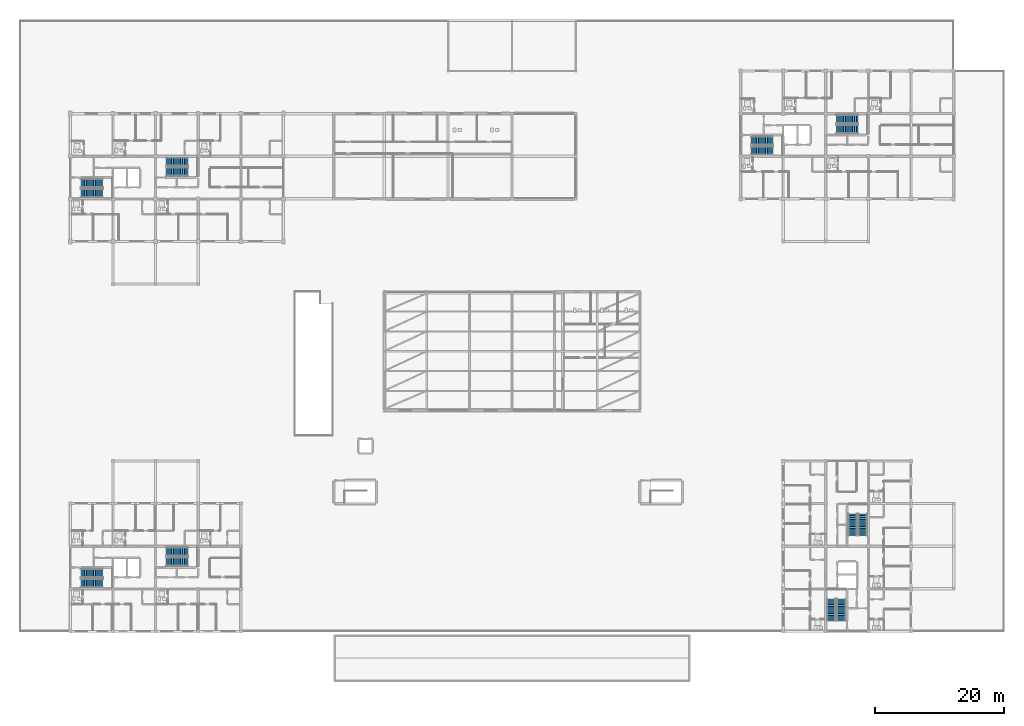
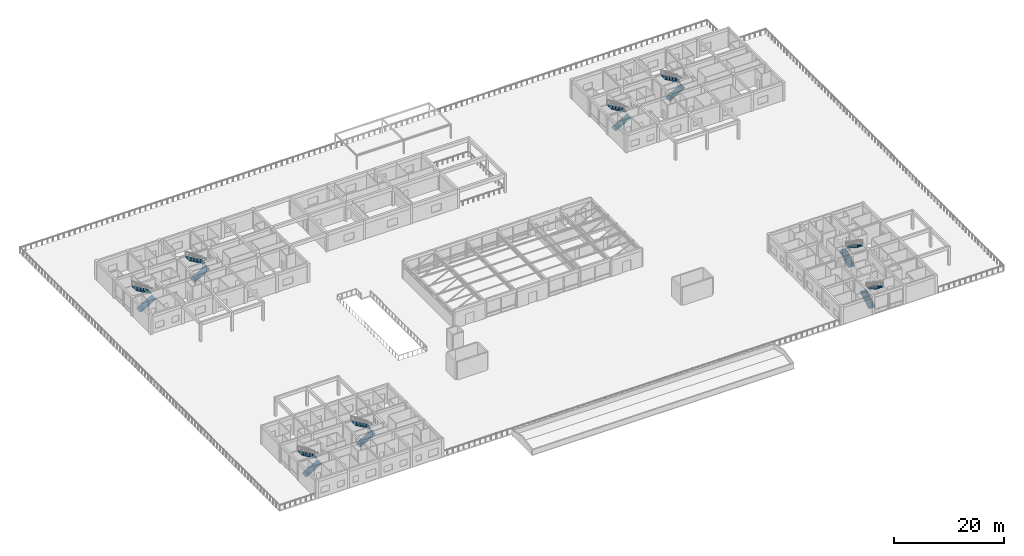
# One storey, part 80 of 92: 16 stair flights, 8 elements without a shape of their own.
"""IFC4 building model written with IfcOpenShell, lengths in metres."""

from ifc_helpers import new_model, si_unit, direction, frame, origin, place, context, subcontext, project, spatial, polyline, outline, extrude, material, type_object, element, aggregate, save


model = new_model("IFC4")

# Units and contexts
model_context = context("Model", 3, precision=1e-05, world=origin(), true_north=direction((0.0, 1.0)))
body_context = subcontext(model_context, "Body", "Model", "MODEL_VIEW")
ifc_project = project(units=[si_unit("LENGTHUNIT", "METRE"), si_unit("AREAUNIT", "SQUARE_METRE"), si_unit("VOLUMEUNIT", "CUBIC_METRE"), si_unit("PLANEANGLEUNIT", "RADIAN"), si_unit("MASSUNIT", "GRAM", prefix="KILO")], contexts=[model_context])

# Site, building, storey
site_placement = place(None, origin())
site = spatial("IfcSite", under=ifc_project, at=site_placement, CompositionType="ELEMENT")
building_placement = place(site_placement, origin())
building = spatial("IfcBuilding", under=site, at=building_placement, Name="Kernevlak Ridge Housing Community", CompositionType="ELEMENT")
storey_placement = place(building_placement, frame((0.0, 0.0, 4.199951171875)))
storey = spatial("IfcBuildingStorey", under=building, at=storey_placement, Name="L01", CompositionType="ELEMENT", Elevation=4.199951171875)

# Stair, stair flights
ifc_material = material(Name="Concrete C35/45", Category="concrete")
stair_type = type_object("IfcStairType", Name="SR-02", PredefinedType="HALF_TURN_STAIR", material=ifc_material)
stair_1_placement = place(storey_placement, origin())
stair_1 = element("IfcStair", 1, at=stair_1_placement, inside=storey, type_object=stair_type, Name="Stair ST-A1 L01", PredefinedType="HALF_TURN_STAIR")
stair_flight_type = type_object("IfcStairFlightType", Name="SF-02", PredefinedType="STRAIGHT", material=ifc_material)
stair_flight_1_placement = place(storey_placement, frame((17.239990234375, 83.4599609375, 0.0), z_axis=(0.0, 0.0, 1.0), x_axis=(1.0, 0.0, 0.0)))
stair_flight_1 = element("IfcStairFlight", 2, at=stair_flight_1_placement, type_object=stair_flight_type, Name="SR-02 flight 1", NumberOfRisers=13, NumberOfTreads=12, PredefinedType="STRAIGHT", RiserHeight=0.161538462, TreadLength=0.28, context=body_context, shape_type="SweptSolid", body=[
    extrude(outline(polyline([(0.0, 0.0), (0.0, 0.16162109375), (0.280029296875, 0.16162109375), (0.280029296875, 0.322998046875), (0.56005859375, 0.322998046875), (0.56005859375, 0.484619140625), (0.840087890625, 0.484619140625), (0.840087890625, 0.646240234375), (1.1201171875, 0.646240234375), (1.1201171875, 0.8076171875), (1.39990234375, 0.8076171875), (1.39990234375, 0.96923828125), (1.679931640625, 0.96923828125), (1.679931640625, 1.130859375), (1.9599609375, 1.130859375), (1.9599609375, 1.292236328125), (2.239990234375, 1.292236328125), (2.239990234375, 1.453857421875), (2.52001953125, 1.453857421875), (2.52001953125, 1.615478515625), (2.800048828125, 1.615478515625), (2.800048828125, 1.77685546875), (3.080078125, 1.77685546875), (3.080078125, 1.9384765625), (3.360107421875, 1.9384765625), (3.360107421875, 2.10009765625), (3.360107421875, 1.7421875), (0.340087890625, 0.0), (0.0, 0.0)])), frame((0.0, 0.699951171875, 0.0), z_axis=(0.0, -1.0, 0.0), x_axis=(1.0, 0.0, 0.0)), (0.0, 0.0, 1.0), 1.39990234375),
])
stair_flight_2_placement = place(storey_placement, frame((20.60009765625, 85.0400390625, 2.10009765625), z_axis=(0.0, 0.0, 1.0), x_axis=(-1.0, 0.0, 0.0)))
stair_flight_2 = element("IfcStairFlight", 3, at=stair_flight_2_placement, type_object=stair_flight_type, Name="SR-02 flight 2", NumberOfRisers=13, NumberOfTreads=12, PredefinedType="STRAIGHT", RiserHeight=0.161538462, TreadLength=0.28, context=body_context, shape_type="SweptSolid", body=[
    extrude(outline(polyline([(0.0, 0.0), (0.0, 0.16162109375), (0.280029296875, 0.16162109375), (0.280029296875, 0.322998046875), (0.56005859375, 0.322998046875), (0.56005859375, 0.484619140625), (0.840087890625, 0.484619140625), (0.840087890625, 0.646240234375), (1.1201171875, 0.646240234375), (1.1201171875, 0.8076171875), (1.39990234375, 0.8076171875), (1.39990234375, 0.96923828125), (1.679931640625, 0.96923828125), (1.679931640625, 1.130859375), (1.9599609375, 1.130859375), (1.9599609375, 1.292236328125), (2.239990234375, 1.292236328125), (2.239990234375, 1.453857421875), (2.52001953125, 1.453857421875), (2.52001953125, 1.615478515625), (2.800048828125, 1.615478515625), (2.800048828125, 1.77685546875), (3.080078125, 1.77685546875), (3.080078125, 1.9384765625), (3.360107421875, 1.9384765625), (3.360107421875, 2.10009765625), (3.360107421875, 1.7421875), (0.340087890625, 0.0), (0.0, 0.0)])), frame((0.0, 0.699951171875, 0.0), z_axis=(0.0, -1.0, 0.0), x_axis=(1.0, 0.0, 0.0)), (0.0, 0.0, 1.0), 1.39990234375),
])
aggregate(stair_1, [stair_flight_1, stair_flight_2])

stair_2_placement = place(storey_placement, origin())
stair_2 = element("IfcStair", 4, at=stair_2_placement, inside=storey, type_object=stair_type, Name="Stair ST-A2 L01", PredefinedType="HALF_TURN_STAIR")
stair_flight_3_placement = place(storey_placement, frame((30.43994140625, 86.760009765625, 0.0), z_axis=(0.0, 0.0, 1.0), x_axis=(1.0, 0.0, 0.0)))
stair_flight_3 = element("IfcStairFlight", 5, at=stair_flight_3_placement, type_object=stair_flight_type, Name="SR-02 flight 1", NumberOfRisers=13, NumberOfTreads=12, PredefinedType="STRAIGHT", RiserHeight=0.161538462, TreadLength=0.28, context=body_context, shape_type="SweptSolid", body=[
    extrude(outline(polyline([(0.0, 0.0), (0.0, 0.16162109375), (0.280029296875, 0.16162109375), (0.280029296875, 0.322998046875), (0.56005859375, 0.322998046875), (0.56005859375, 0.484619140625), (0.840087890625, 0.484619140625), (0.840087890625, 0.646240234375), (1.1201171875, 0.646240234375), (1.1201171875, 0.8076171875), (1.39990234375, 0.8076171875), (1.39990234375, 0.96923828125), (1.679931640625, 0.96923828125), (1.679931640625, 1.130859375), (1.9599609375, 1.130859375), (1.9599609375, 1.292236328125), (2.239990234375, 1.292236328125), (2.239990234375, 1.453857421875), (2.52001953125, 1.453857421875), (2.52001953125, 1.615478515625), (2.800048828125, 1.615478515625), (2.800048828125, 1.77685546875), (3.080078125, 1.77685546875), (3.080078125, 1.9384765625), (3.360107421875, 1.9384765625), (3.360107421875, 2.10009765625), (3.360107421875, 1.7421875), (0.340087890625, 0.0), (0.0, 0.0)])), frame((0.0, 0.699951171875, 0.0), z_axis=(0.0, -1.0, 0.0), x_axis=(1.0, 0.0, 0.0)), (0.0, 0.0, 1.0), 1.39990234375),
])
stair_flight_4_placement = place(storey_placement, frame((33.800048828125, 88.340087890625, 2.10009765625), z_axis=(0.0, 0.0, 1.0), x_axis=(-1.0, 0.0, 0.0)))
stair_flight_4 = element("IfcStairFlight", 6, at=stair_flight_4_placement, type_object=stair_flight_type, Name="SR-02 flight 2", NumberOfRisers=13, NumberOfTreads=12, PredefinedType="STRAIGHT", RiserHeight=0.161538462, TreadLength=0.28, context=body_context, shape_type="SweptSolid", body=[
    extrude(outline(polyline([(0.0, 0.0), (0.0, 0.16162109375), (0.280029296875, 0.16162109375), (0.280029296875, 0.322998046875), (0.56005859375, 0.322998046875), (0.56005859375, 0.484619140625), (0.840087890625, 0.484619140625), (0.840087890625, 0.646240234375), (1.1201171875, 0.646240234375), (1.1201171875, 0.8076171875), (1.39990234375, 0.8076171875), (1.39990234375, 0.96923828125), (1.679931640625, 0.96923828125), (1.679931640625, 1.130859375), (1.9599609375, 1.130859375), (1.9599609375, 1.292236328125), (2.239990234375, 1.292236328125), (2.239990234375, 1.453857421875), (2.52001953125, 1.453857421875), (2.52001953125, 1.615478515625), (2.800048828125, 1.615478515625), (2.800048828125, 1.77685546875), (3.080078125, 1.77685546875), (3.080078125, 1.9384765625), (3.360107421875, 1.9384765625), (3.360107421875, 2.10009765625), (3.360107421875, 1.7421875), (0.340087890625, 0.0), (0.0, 0.0)])), frame((0.0, 0.699951171875, 0.0), z_axis=(0.0, -1.0, 0.0), x_axis=(1.0, 0.0, 0.0)), (0.0, 0.0, 1.0), 1.39990234375),
])
aggregate(stair_2, [stair_flight_3, stair_flight_4])

stair_3_placement = place(storey_placement, origin())
stair_3 = element("IfcStair", 7, at=stair_3_placement, inside=storey, type_object=stair_type, Name="Stair ST-B1 L01", PredefinedType="HALF_TURN_STAIR")
stair_flight_5_placement = place(storey_placement, frame((121.0400390625, 90.06005859375, 0.0), z_axis=(0.0, 0.0, 1.0), x_axis=(1.0, 0.0, 0.0)))
stair_flight_5 = element("IfcStairFlight", 8, at=stair_flight_5_placement, type_object=stair_flight_type, Name="SR-02 flight 1", NumberOfRisers=13, NumberOfTreads=12, PredefinedType="STRAIGHT", RiserHeight=0.161538462, TreadLength=0.28, context=body_context, shape_type="SweptSolid", body=[
    extrude(outline(polyline([(0.0, 0.0), (0.0, 0.16162109375), (0.280029296875, 0.16162109375), (0.280029296875, 0.322998046875), (0.56005859375, 0.322998046875), (0.56005859375, 0.484619140625), (0.840087890625, 0.484619140625), (0.840087890625, 0.646240234375), (1.1201171875, 0.646240234375), (1.1201171875, 0.8076171875), (1.39990234375, 0.8076171875), (1.39990234375, 0.96923828125), (1.679931640625, 0.96923828125), (1.679931640625, 1.130859375), (1.9599609375, 1.130859375), (1.9599609375, 1.292236328125), (2.239990234375, 1.292236328125), (2.239990234375, 1.453857421875), (2.52001953125, 1.453857421875), (2.52001953125, 1.615478515625), (2.800048828125, 1.615478515625), (2.800048828125, 1.77685546875), (3.080078125, 1.77685546875), (3.080078125, 1.9384765625), (3.360107421875, 1.9384765625), (3.360107421875, 2.10009765625), (3.360107421875, 1.7421875), (0.340087890625, 0.0), (0.0, 0.0)])), frame((0.0, 0.699951171875, 0.0), z_axis=(0.0, -1.0, 0.0), x_axis=(1.0, 0.0, 0.0)), (0.0, 0.0, 1.0), 1.39990234375),
])
stair_flight_6_placement = place(storey_placement, frame((124.39990234375, 91.639892578125, 2.10009765625), z_axis=(0.0, 0.0, 1.0), x_axis=(-1.0, 0.0, 0.0)))
stair_flight_6 = element("IfcStairFlight", 9, at=stair_flight_6_placement, type_object=stair_flight_type, Name="SR-02 flight 2", NumberOfRisers=13, NumberOfTreads=12, PredefinedType="STRAIGHT", RiserHeight=0.161538462, TreadLength=0.28, context=body_context, shape_type="SweptSolid", body=[
    extrude(outline(polyline([(0.0, 0.0), (0.0, 0.16162109375), (0.280029296875, 0.16162109375), (0.280029296875, 0.322998046875), (0.56005859375, 0.322998046875), (0.56005859375, 0.484619140625), (0.840087890625, 0.484619140625), (0.840087890625, 0.646240234375), (1.1201171875, 0.646240234375), (1.1201171875, 0.8076171875), (1.39990234375, 0.8076171875), (1.39990234375, 0.96923828125), (1.679931640625, 0.96923828125), (1.679931640625, 1.130859375), (1.9599609375, 1.130859375), (1.9599609375, 1.292236328125), (2.239990234375, 1.292236328125), (2.239990234375, 1.453857421875), (2.52001953125, 1.453857421875), (2.52001953125, 1.615478515625), (2.800048828125, 1.615478515625), (2.800048828125, 1.77685546875), (3.080078125, 1.77685546875), (3.080078125, 1.9384765625), (3.360107421875, 1.9384765625), (3.360107421875, 2.10009765625), (3.360107421875, 1.7421875), (0.340087890625, 0.0), (0.0, 0.0)])), frame((0.0, 0.699951171875, 0.0), z_axis=(0.0, -1.0, 0.0), x_axis=(1.0, 0.0, 0.0)), (0.0, 0.0, 1.0), 1.39990234375),
])
aggregate(stair_3, [stair_flight_5, stair_flight_6])

stair_4_placement = place(storey_placement, origin())
stair_4 = element("IfcStair", 10, at=stair_4_placement, inside=storey, type_object=stair_type, Name="Stair ST-B2 L01", PredefinedType="HALF_TURN_STAIR")
stair_flight_7_placement = place(storey_placement, frame((134.239990234375, 93.360107421875, 0.0), z_axis=(0.0, 0.0, 1.0), x_axis=(1.0, 0.0, 0.0)))
stair_flight_7 = element("IfcStairFlight", 11, at=stair_flight_7_placement, type_object=stair_flight_type, Name="SR-02 flight 1", NumberOfRisers=13, NumberOfTreads=12, PredefinedType="STRAIGHT", RiserHeight=0.161538462, TreadLength=0.28, context=body_context, shape_type="SweptSolid", body=[
    extrude(outline(polyline([(0.0, 0.0), (0.0, 0.16162109375), (0.280029296875, 0.16162109375), (0.280029296875, 0.322998046875), (0.56005859375, 0.322998046875), (0.56005859375, 0.484619140625), (0.840087890625, 0.484619140625), (0.840087890625, 0.646240234375), (1.1201171875, 0.646240234375), (1.1201171875, 0.8076171875), (1.39990234375, 0.8076171875), (1.39990234375, 0.96923828125), (1.679931640625, 0.96923828125), (1.679931640625, 1.130859375), (1.9599609375, 1.130859375), (1.9599609375, 1.292236328125), (2.239990234375, 1.292236328125), (2.239990234375, 1.453857421875), (2.52001953125, 1.453857421875), (2.52001953125, 1.615478515625), (2.800048828125, 1.615478515625), (2.800048828125, 1.77685546875), (3.080078125, 1.77685546875), (3.080078125, 1.9384765625), (3.360107421875, 1.9384765625), (3.360107421875, 2.10009765625), (3.360107421875, 1.7421875), (0.340087890625, 0.0), (0.0, 0.0)])), frame((0.0, 0.699951171875, 0.0), z_axis=(0.0, -1.0, 0.0), x_axis=(1.0, 0.0, 0.0)), (0.0, 0.0, 1.0), 1.39990234375),
])
stair_flight_8_placement = place(storey_placement, frame((137.60009765625, 94.93994140625, 2.10009765625), z_axis=(0.0, 0.0, 1.0), x_axis=(-1.0, 0.0, 0.0)))
stair_flight_8 = element("IfcStairFlight", 12, at=stair_flight_8_placement, type_object=stair_flight_type, Name="SR-02 flight 2", NumberOfRisers=13, NumberOfTreads=12, PredefinedType="STRAIGHT", RiserHeight=0.161538462, TreadLength=0.28, context=body_context, shape_type="SweptSolid", body=[
    extrude(outline(polyline([(0.0, 0.0), (0.0, 0.16162109375), (0.280029296875, 0.16162109375), (0.280029296875, 0.322998046875), (0.56005859375, 0.322998046875), (0.56005859375, 0.484619140625), (0.840087890625, 0.484619140625), (0.840087890625, 0.646240234375), (1.1201171875, 0.646240234375), (1.1201171875, 0.8076171875), (1.39990234375, 0.8076171875), (1.39990234375, 0.96923828125), (1.679931640625, 0.96923828125), (1.679931640625, 1.130859375), (1.9599609375, 1.130859375), (1.9599609375, 1.292236328125), (2.239990234375, 1.292236328125), (2.239990234375, 1.453857421875), (2.52001953125, 1.453857421875), (2.52001953125, 1.615478515625), (2.800048828125, 1.615478515625), (2.800048828125, 1.77685546875), (3.080078125, 1.77685546875), (3.080078125, 1.9384765625), (3.360107421875, 1.9384765625), (3.360107421875, 2.10009765625), (3.360107421875, 1.7421875), (0.340087890625, 0.0), (0.0, 0.0)])), frame((0.0, 0.699951171875, 0.0), z_axis=(0.0, -1.0, 0.0), x_axis=(1.0, 0.0, 0.0)), (0.0, 0.0, 1.0), 1.39990234375),
])
aggregate(stair_4, [stair_flight_7, stair_flight_8])

stair_5_placement = place(storey_placement, origin())
stair_5 = element("IfcStair", 13, at=stair_5_placement, inside=storey, type_object=stair_type, Name="Stair ST-C1 L01", PredefinedType="HALF_TURN_STAIR")
stair_flight_9_placement = place(storey_placement, frame((133.4599609375, 17.239990234375, 0.0), z_axis=(0.0, 0.0, 1.0), x_axis=(0.0, 1.0, 0.0)))
stair_flight_9 = element("IfcStairFlight", 14, at=stair_flight_9_placement, type_object=stair_flight_type, Name="SR-02 flight 1", NumberOfRisers=13, NumberOfTreads=12, PredefinedType="STRAIGHT", RiserHeight=0.161538462, TreadLength=0.28, context=body_context, shape_type="SweptSolid", body=[
    extrude(outline(polyline([(0.0, 0.0), (0.0, 0.16162109375), (0.280029296875, 0.16162109375), (0.280029296875, 0.322998046875), (0.56005859375, 0.322998046875), (0.56005859375, 0.484619140625), (0.840087890625, 0.484619140625), (0.840087890625, 0.646240234375), (1.1201171875, 0.646240234375), (1.1201171875, 0.8076171875), (1.39990234375, 0.8076171875), (1.39990234375, 0.96923828125), (1.679931640625, 0.96923828125), (1.679931640625, 1.130859375), (1.9599609375, 1.130859375), (1.9599609375, 1.292236328125), (2.239990234375, 1.292236328125), (2.239990234375, 1.453857421875), (2.52001953125, 1.453857421875), (2.52001953125, 1.615478515625), (2.800048828125, 1.615478515625), (2.800048828125, 1.77685546875), (3.080078125, 1.77685546875), (3.080078125, 1.9384765625), (3.360107421875, 1.9384765625), (3.360107421875, 2.10009765625), (3.360107421875, 1.7421875), (0.340087890625, 0.0), (0.0, 0.0)])), frame((0.0, 0.699951171875, 0.0), z_axis=(0.0, -1.0, 0.0), x_axis=(1.0, 0.0, 0.0)), (0.0, 0.0, 1.0), 1.39990234375),
])
stair_flight_10_placement = place(storey_placement, frame((135.0400390625, 20.60009765625, 2.10009765625), z_axis=(0.0, 0.0, 1.0), x_axis=(0.0, -1.0, 0.0)))
stair_flight_10 = element("IfcStairFlight", 15, at=stair_flight_10_placement, type_object=stair_flight_type, Name="SR-02 flight 2", NumberOfRisers=13, NumberOfTreads=12, PredefinedType="STRAIGHT", RiserHeight=0.161538462, TreadLength=0.28, context=body_context, shape_type="SweptSolid", body=[
    extrude(outline(polyline([(0.0, 0.0), (0.0, 0.16162109375), (0.280029296875, 0.16162109375), (0.280029296875, 0.322998046875), (0.56005859375, 0.322998046875), (0.56005859375, 0.484619140625), (0.840087890625, 0.484619140625), (0.840087890625, 0.646240234375), (1.1201171875, 0.646240234375), (1.1201171875, 0.8076171875), (1.39990234375, 0.8076171875), (1.39990234375, 0.96923828125), (1.679931640625, 0.96923828125), (1.679931640625, 1.130859375), (1.9599609375, 1.130859375), (1.9599609375, 1.292236328125), (2.239990234375, 1.292236328125), (2.239990234375, 1.453857421875), (2.52001953125, 1.453857421875), (2.52001953125, 1.615478515625), (2.800048828125, 1.615478515625), (2.800048828125, 1.77685546875), (3.080078125, 1.77685546875), (3.080078125, 1.9384765625), (3.360107421875, 1.9384765625), (3.360107421875, 2.10009765625), (3.360107421875, 1.7421875), (0.340087890625, 0.0), (0.0, 0.0)])), frame((0.0, 0.699951171875, 0.0), z_axis=(0.0, -1.0, 0.0), x_axis=(1.0, 0.0, 0.0)), (0.0, 0.0, 1.0), 1.39990234375),
])
aggregate(stair_5, [stair_flight_9, stair_flight_10])

stair_6_placement = place(storey_placement, origin())
stair_6 = element("IfcStair", 16, at=stair_6_placement, inside=storey, type_object=stair_type, Name="Stair ST-C2 L01", PredefinedType="HALF_TURN_STAIR")
stair_flight_11_placement = place(storey_placement, frame((136.760009765625, 30.43994140625, 0.0), z_axis=(0.0, 0.0, 1.0), x_axis=(0.0, 1.0, 0.0)))
stair_flight_11 = element("IfcStairFlight", 17, at=stair_flight_11_placement, type_object=stair_flight_type, Name="SR-02 flight 1", NumberOfRisers=13, NumberOfTreads=12, PredefinedType="STRAIGHT", RiserHeight=0.161538462, TreadLength=0.28, context=body_context, shape_type="SweptSolid", body=[
    extrude(outline(polyline([(0.0, 0.0), (0.0, 0.16162109375), (0.280029296875, 0.16162109375), (0.280029296875, 0.322998046875), (0.56005859375, 0.322998046875), (0.56005859375, 0.484619140625), (0.840087890625, 0.484619140625), (0.840087890625, 0.646240234375), (1.1201171875, 0.646240234375), (1.1201171875, 0.8076171875), (1.39990234375, 0.8076171875), (1.39990234375, 0.96923828125), (1.679931640625, 0.96923828125), (1.679931640625, 1.130859375), (1.9599609375, 1.130859375), (1.9599609375, 1.292236328125), (2.239990234375, 1.292236328125), (2.239990234375, 1.453857421875), (2.52001953125, 1.453857421875), (2.52001953125, 1.615478515625), (2.800048828125, 1.615478515625), (2.800048828125, 1.77685546875), (3.080078125, 1.77685546875), (3.080078125, 1.9384765625), (3.360107421875, 1.9384765625), (3.360107421875, 2.10009765625), (3.360107421875, 1.7421875), (0.340087890625, 0.0), (0.0, 0.0)])), frame((0.0, 0.699951171875, 0.0), z_axis=(0.0, -1.0, 0.0), x_axis=(1.0, 0.0, 0.0)), (0.0, 0.0, 1.0), 1.39990234375),
])
stair_flight_12_placement = place(storey_placement, frame((138.340087890625, 33.800048828125, 2.10009765625), z_axis=(0.0, 0.0, 1.0), x_axis=(0.0, -1.0, 0.0)))
stair_flight_12 = element("IfcStairFlight", 18, at=stair_flight_12_placement, type_object=stair_flight_type, Name="SR-02 flight 2", NumberOfRisers=13, NumberOfTreads=12, PredefinedType="STRAIGHT", RiserHeight=0.161538462, TreadLength=0.28, context=body_context, shape_type="SweptSolid", body=[
    extrude(outline(polyline([(0.0, 0.0), (0.0, 0.16162109375), (0.280029296875, 0.16162109375), (0.280029296875, 0.322998046875), (0.56005859375, 0.322998046875), (0.56005859375, 0.484619140625), (0.840087890625, 0.484619140625), (0.840087890625, 0.646240234375), (1.1201171875, 0.646240234375), (1.1201171875, 0.8076171875), (1.39990234375, 0.8076171875), (1.39990234375, 0.96923828125), (1.679931640625, 0.96923828125), (1.679931640625, 1.130859375), (1.9599609375, 1.130859375), (1.9599609375, 1.292236328125), (2.239990234375, 1.292236328125), (2.239990234375, 1.453857421875), (2.52001953125, 1.453857421875), (2.52001953125, 1.615478515625), (2.800048828125, 1.615478515625), (2.800048828125, 1.77685546875), (3.080078125, 1.77685546875), (3.080078125, 1.9384765625), (3.360107421875, 1.9384765625), (3.360107421875, 2.10009765625), (3.360107421875, 1.7421875), (0.340087890625, 0.0), (0.0, 0.0)])), frame((0.0, 0.699951171875, 0.0), z_axis=(0.0, -1.0, 0.0), x_axis=(1.0, 0.0, 0.0)), (0.0, 0.0, 1.0), 1.39990234375),
])
aggregate(stair_6, [stair_flight_11, stair_flight_12])

stair_7_placement = place(storey_placement, origin())
stair_7 = element("IfcStair", 19, at=stair_7_placement, inside=storey, type_object=stair_type, Name="Stair ST-D1 L01", PredefinedType="HALF_TURN_STAIR")
stair_flight_13_placement = place(storey_placement, frame((17.239990234375, 23.06005859375, 0.0), z_axis=(0.0, 0.0, 1.0), x_axis=(1.0, 0.0, 0.0)))
stair_flight_13 = element("IfcStairFlight", 20, at=stair_flight_13_placement, type_object=stair_flight_type, Name="SR-02 flight 1", NumberOfRisers=13, NumberOfTreads=12, PredefinedType="STRAIGHT", RiserHeight=0.161538462, TreadLength=0.28, context=body_context, shape_type="SweptSolid", body=[
    extrude(outline(polyline([(0.0, 0.0), (0.0, 0.16162109375), (0.280029296875, 0.16162109375), (0.280029296875, 0.322998046875), (0.56005859375, 0.322998046875), (0.56005859375, 0.484619140625), (0.840087890625, 0.484619140625), (0.840087890625, 0.646240234375), (1.1201171875, 0.646240234375), (1.1201171875, 0.8076171875), (1.39990234375, 0.8076171875), (1.39990234375, 0.96923828125), (1.679931640625, 0.96923828125), (1.679931640625, 1.130859375), (1.9599609375, 1.130859375), (1.9599609375, 1.292236328125), (2.239990234375, 1.292236328125), (2.239990234375, 1.453857421875), (2.52001953125, 1.453857421875), (2.52001953125, 1.615478515625), (2.800048828125, 1.615478515625), (2.800048828125, 1.77685546875), (3.080078125, 1.77685546875), (3.080078125, 1.9384765625), (3.360107421875, 1.9384765625), (3.360107421875, 2.10009765625), (3.360107421875, 1.7421875), (0.340087890625, 0.0), (0.0, 0.0)])), frame((0.0, 0.699951171875, 0.0), z_axis=(0.0, -1.0, 0.0), x_axis=(1.0, 0.0, 0.0)), (0.0, 0.0, 1.0), 1.39990234375),
])
stair_flight_14_placement = place(storey_placement, frame((20.60009765625, 24.639892578125, 2.10009765625), z_axis=(0.0, 0.0, 1.0), x_axis=(-1.0, 0.0, 0.0)))
stair_flight_14 = element("IfcStairFlight", 21, at=stair_flight_14_placement, type_object=stair_flight_type, Name="SR-02 flight 2", NumberOfRisers=13, NumberOfTreads=12, PredefinedType="STRAIGHT", RiserHeight=0.161538462, TreadLength=0.28, context=body_context, shape_type="SweptSolid", body=[
    extrude(outline(polyline([(0.0, 0.0), (0.0, 0.16162109375), (0.280029296875, 0.16162109375), (0.280029296875, 0.322998046875), (0.56005859375, 0.322998046875), (0.56005859375, 0.484619140625), (0.840087890625, 0.484619140625), (0.840087890625, 0.646240234375), (1.1201171875, 0.646240234375), (1.1201171875, 0.8076171875), (1.39990234375, 0.8076171875), (1.39990234375, 0.96923828125), (1.679931640625, 0.96923828125), (1.679931640625, 1.130859375), (1.9599609375, 1.130859375), (1.9599609375, 1.292236328125), (2.239990234375, 1.292236328125), (2.239990234375, 1.453857421875), (2.52001953125, 1.453857421875), (2.52001953125, 1.615478515625), (2.800048828125, 1.615478515625), (2.800048828125, 1.77685546875), (3.080078125, 1.77685546875), (3.080078125, 1.9384765625), (3.360107421875, 1.9384765625), (3.360107421875, 2.10009765625), (3.360107421875, 1.7421875), (0.340087890625, 0.0), (0.0, 0.0)])), frame((0.0, 0.699951171875, 0.0), z_axis=(0.0, -1.0, 0.0), x_axis=(1.0, 0.0, 0.0)), (0.0, 0.0, 1.0), 1.39990234375),
])
aggregate(stair_7, [stair_flight_13, stair_flight_14])

stair_8_placement = place(storey_placement, origin())
stair_8 = element("IfcStair", 22, at=stair_8_placement, inside=storey, type_object=stair_type, Name="Stair ST-D2 L01", PredefinedType="HALF_TURN_STAIR")
stair_flight_15_placement = place(storey_placement, frame((30.43994140625, 26.360107421875, 0.0), z_axis=(0.0, 0.0, 1.0), x_axis=(1.0, 0.0, 0.0)))
stair_flight_15 = element("IfcStairFlight", 23, at=stair_flight_15_placement, type_object=stair_flight_type, Name="SR-02 flight 1", NumberOfRisers=13, NumberOfTreads=12, PredefinedType="STRAIGHT", RiserHeight=0.161538462, TreadLength=0.28, context=body_context, shape_type="SweptSolid", body=[
    extrude(outline(polyline([(0.0, 0.0), (0.0, 0.16162109375), (0.280029296875, 0.16162109375), (0.280029296875, 0.322998046875), (0.56005859375, 0.322998046875), (0.56005859375, 0.484619140625), (0.840087890625, 0.484619140625), (0.840087890625, 0.646240234375), (1.1201171875, 0.646240234375), (1.1201171875, 0.8076171875), (1.39990234375, 0.8076171875), (1.39990234375, 0.96923828125), (1.679931640625, 0.96923828125), (1.679931640625, 1.130859375), (1.9599609375, 1.130859375), (1.9599609375, 1.292236328125), (2.239990234375, 1.292236328125), (2.239990234375, 1.453857421875), (2.52001953125, 1.453857421875), (2.52001953125, 1.615478515625), (2.800048828125, 1.615478515625), (2.800048828125, 1.77685546875), (3.080078125, 1.77685546875), (3.080078125, 1.9384765625), (3.360107421875, 1.9384765625), (3.360107421875, 2.10009765625), (3.360107421875, 1.7421875), (0.340087890625, 0.0), (0.0, 0.0)])), frame((0.0, 0.699951171875, 0.0), z_axis=(0.0, -1.0, 0.0), x_axis=(1.0, 0.0, 0.0)), (0.0, 0.0, 1.0), 1.39990234375),
])
stair_flight_16_placement = place(storey_placement, frame((33.800048828125, 27.93994140625, 2.10009765625), z_axis=(0.0, 0.0, 1.0), x_axis=(-1.0, 0.0, 0.0)))
stair_flight_16 = element("IfcStairFlight", 24, at=stair_flight_16_placement, type_object=stair_flight_type, Name="SR-02 flight 2", NumberOfRisers=13, NumberOfTreads=12, PredefinedType="STRAIGHT", RiserHeight=0.161538462, TreadLength=0.28, context=body_context, shape_type="SweptSolid", body=[
    extrude(outline(polyline([(0.0, 0.0), (0.0, 0.16162109375), (0.280029296875, 0.16162109375), (0.280029296875, 0.322998046875), (0.56005859375, 0.322998046875), (0.56005859375, 0.484619140625), (0.840087890625, 0.484619140625), (0.840087890625, 0.646240234375), (1.1201171875, 0.646240234375), (1.1201171875, 0.8076171875), (1.39990234375, 0.8076171875), (1.39990234375, 0.96923828125), (1.679931640625, 0.96923828125), (1.679931640625, 1.130859375), (1.9599609375, 1.130859375), (1.9599609375, 1.292236328125), (2.239990234375, 1.292236328125), (2.239990234375, 1.453857421875), (2.52001953125, 1.453857421875), (2.52001953125, 1.615478515625), (2.800048828125, 1.615478515625), (2.800048828125, 1.77685546875), (3.080078125, 1.77685546875), (3.080078125, 1.9384765625), (3.360107421875, 1.9384765625), (3.360107421875, 2.10009765625), (3.360107421875, 1.7421875), (0.340087890625, 0.0), (0.0, 0.0)])), frame((0.0, 0.699951171875, 0.0), z_axis=(0.0, -1.0, 0.0), x_axis=(1.0, 0.0, 0.0)), (0.0, 0.0, 1.0), 1.39990234375),
])
aggregate(stair_8, [stair_flight_15, stair_flight_16])

save(model, "model.ifc")
